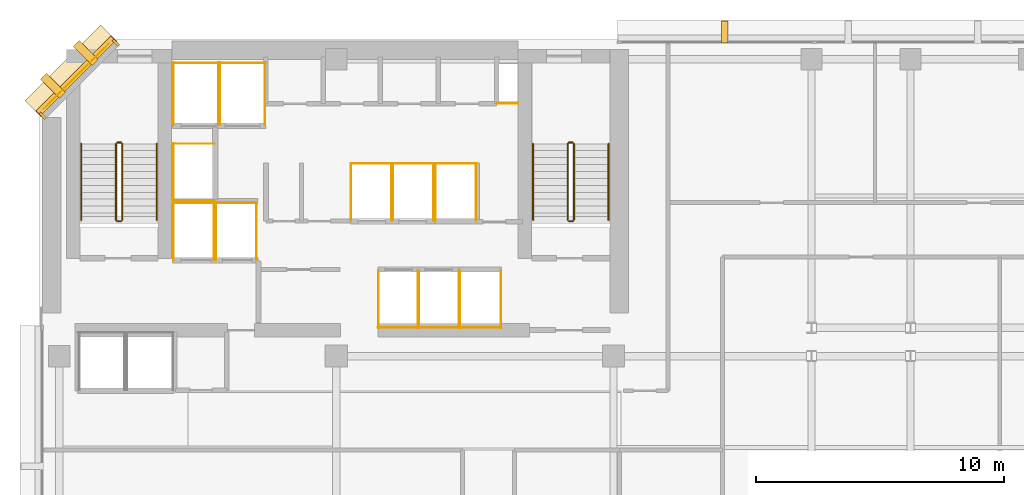
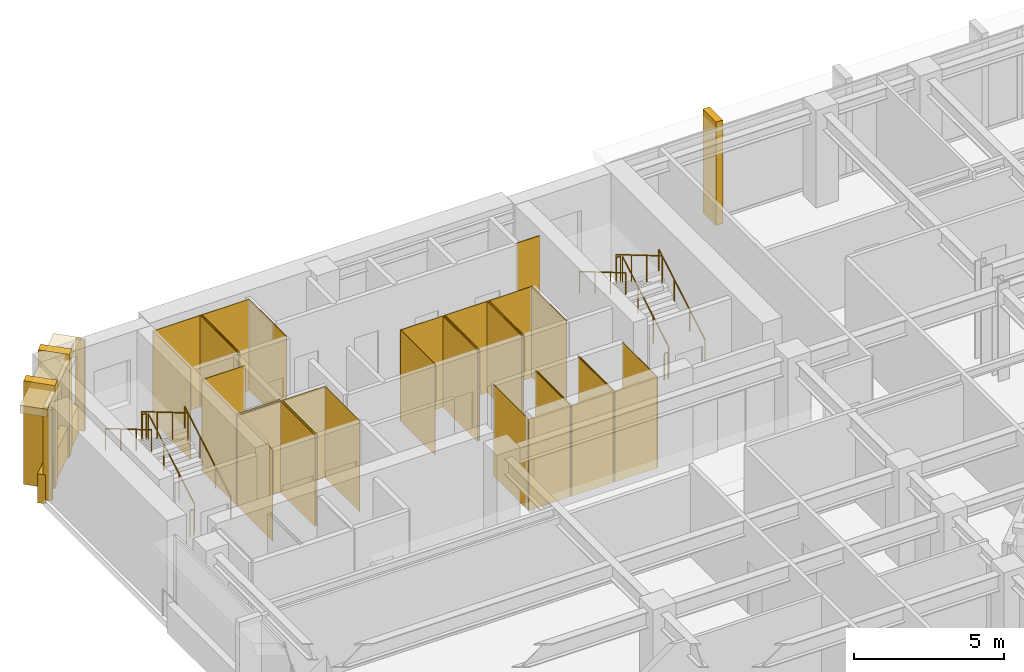
# One storey, part 10 of 11: 42 coverings, 12 railings.
"""IFC4 building model written with IfcOpenShell, lengths in metres."""

from ifc_helpers import new_model, si_unit, direction, frame, origin, origin_2d, place, context, subcontext, project, spatial, polyline, rectangle, circle, outline, extrude, material, layer, layer_set, type_object, element, save


model = new_model("IFC4")

# Units and contexts
model_context = context("Model", 3, precision=1e-05, world=origin(), true_north=direction((0.0, 1.0)))
body_context = subcontext(model_context, "Body", "Model", "MODEL_VIEW")
ifc_project = project(units=[si_unit("LENGTHUNIT", "METRE"), si_unit("AREAUNIT", "SQUARE_METRE"), si_unit("VOLUMEUNIT", "CUBIC_METRE"), si_unit("PLANEANGLEUNIT", "RADIAN"), si_unit("MASSUNIT", "GRAM", prefix="KILO")], contexts=[model_context])

# Site, building, storey
site_placement = place(None, origin())
site = spatial("IfcSite", under=ifc_project, at=site_placement, CompositionType="ELEMENT")
building_placement = place(site_placement, origin())
building = spatial("IfcBuilding", under=site, at=building_placement, Name="Kefirva Bronze Tower", CompositionType="ELEMENT")
storey_placement = place(building_placement, frame((0.0, 0.0, 179.52001953125)))
storey = spatial("IfcBuildingStorey", under=building, at=storey_placement, Name="L43", CompositionType="ELEMENT", Elevation=179.52001953125)

# Coverings
ifc_material_1 = material(Name="Bronze anodised aluminium", Category="aluminium")
ifc_layer_1 = layer(ifc_material_1, 0.02001953125, Name="Bronze anodised aluminium")
ifc_layer_set_1 = layer_set([ifc_layer_1], Name="Bronze anodised aluminium")
covering_type_1 = type_object("IfcCoveringType", Name="Anodised Bronze Spandrel Cladding 20mm", PredefinedType="CLADDING", material=ifc_layer_set_1)
covering_1_placement = place(storey_placement, frame((1.492919921875, 44.507080078125, 3.2900390625), z_axis=(0.0, 0.0, 1.0), x_axis=(-0.707106781187, -0.707106781187, 0.0)))
element("IfcCovering", 1, at=covering_1_placement, inside=storey, type_object=covering_type_1, Name="L43 Bronze Spandrel Cladding 5", PredefinedType="CLADDING", context=body_context, shape_type="SweptSolid", body=[
    extrude(rectangle(XDim=3.719482421875, YDim=0.02001953125, at=origin_2d()), origin(), (0.0, 0.0, 1.0), 0.39990234375),
])
for number, where, z_axis, x_axis, name in (
    (2, (3.08837890625, 45.862060546875, 0.0), (0.0, 0.0, 1.0), (-0.707106781187, -0.707106781187, 0.0), "L43 Facade Joint Closure Panel 5S"),
    (3, (0.137939453125, 42.91162109375, 0.0), (0.0, 0.0, 1.0), (-0.707106781187, -0.707106781187, 0.0), "L43 Facade Joint Closure Panel 5E"),
):
    element("IfcCovering", number, at=place(storey_placement, frame(where, z_axis=z_axis, x_axis=x_axis)), inside=storey, type_object=covering_type_1, Name=name, PredefinedType="CLADDING", context=body_context, shape_type="SweptSolid", body=[
        extrude(rectangle(XDim=0.10009765625, YDim=0.320068359375, at=origin_2d()), origin(), (0.0, 0.0, 1.0), 3.7099609375),
    ])
covering_2_placement = place(storey_placement, frame((1.4716796875, 44.5283203125, -0.16015625), z_axis=(0.0, 0.0, 1.0), x_axis=(-0.707106781187, -0.707106781187, 0.0)))
element("IfcCovering", 4, at=covering_2_placement, inside=storey, type_object=covering_type_1, Name="L43 Streamline Horizontal Spandrel Band 9", PredefinedType="CLADDING", context=body_context, shape_type="SweptSolid", body=[
    extrude(rectangle(XDim=4.28271484375, YDim=0.280029296875, at=origin_2d()), origin(), (0.0, 0.0, 1.0), 1.179931640625),
])
covering_3_placement = place(storey_placement, origin())
element("IfcCovering", 5, at=covering_3_placement, inside=storey, type_object=covering_type_1, Name="L43 Lift FF1 Hoistway Liner N", PredefinedType="CLADDING", context=body_context, shape_type="SweptSolid", body=[
    extrude(outline(polyline([(5.39990234375, 39.389892578125), (7.080078125, 39.389892578125), (7.080078125, 39.409912109375), (5.39990234375, 39.409912109375), (5.39990234375, 39.389892578125)])), origin(), (0.0, 0.0, 1.0), 3.7099609375),
])
covering_4_placement = place(storey_placement, origin())
element("IfcCovering", 6, at=covering_4_placement, inside=storey, type_object=covering_type_1, Name="L43 Lift FF1 Hoistway Liner W", PredefinedType="CLADDING", context=body_context, shape_type="SweptSolid", body=[
    extrude(outline(polyline([(5.409912109375, 37.080078125), (5.429931640625, 37.080078125), (5.429931640625, 39.419921875), (5.409912109375, 39.419921875), (5.409912109375, 37.080078125)])), origin(), (0.0, 0.0, 1.0), 3.7099609375),
])
covering_5_placement = place(storey_placement, origin())
element("IfcCovering", 7, at=covering_5_placement, inside=storey, type_object=covering_type_1, Name="L43 Lift FF1 Hoistway Liner E", PredefinedType="CLADDING", context=body_context, shape_type="SweptSolid", body=[
    extrude(outline(polyline([(7.050048828125, 37.080078125), (7.070068359375, 37.080078125), (7.070068359375, 39.419921875), (7.050048828125, 39.419921875), (7.050048828125, 37.080078125)])), origin(), (0.0, 0.0, 1.0), 3.7099609375),
])
covering_6_placement = place(storey_placement, origin())
element("IfcCovering", 8, at=covering_6_placement, inside=storey, type_object=covering_type_1, Name="L43 Lift FF2 Hoistway Liner N", PredefinedType="CLADDING", context=body_context, shape_type="SweptSolid", body=[
    extrude(outline(polyline([(7.1201171875, 39.389892578125), (8.800048828125, 39.389892578125), (8.800048828125, 39.409912109375), (7.1201171875, 39.409912109375), (7.1201171875, 39.389892578125)])), origin(), (0.0, 0.0, 1.0), 3.7099609375),
])
covering_7_placement = place(storey_placement, origin())
element("IfcCovering", 9, at=covering_7_placement, inside=storey, type_object=covering_type_1, Name="L43 Lift FF2 Hoistway Liner W", PredefinedType="CLADDING", context=body_context, shape_type="SweptSolid", body=[
    extrude(outline(polyline([(7.1298828125, 37.080078125), (7.14990234375, 37.080078125), (7.14990234375, 39.419921875), (7.1298828125, 39.419921875), (7.1298828125, 37.080078125)])), origin(), (0.0, 0.0, 1.0), 3.7099609375),
])
covering_8_placement = place(storey_placement, origin())
element("IfcCovering", 10, at=covering_8_placement, inside=storey, type_object=covering_type_1, Name="L43 Lift FF2 Hoistway Liner E", PredefinedType="CLADDING", context=body_context, shape_type="SweptSolid", body=[
    extrude(outline(polyline([(8.77001953125, 37.080078125), (8.7900390625, 37.080078125), (8.7900390625, 39.419921875), (8.77001953125, 39.419921875), (8.77001953125, 37.080078125)])), origin(), (0.0, 0.0, 1.0), 3.7099609375),
])
covering_9_placement = place(storey_placement, origin())
element("IfcCovering", 11, at=covering_9_placement, inside=storey, type_object=covering_type_1, Name="L43 Lift SV1 Hoistway Liner N", PredefinedType="CLADDING", context=body_context, shape_type="SweptSolid", body=[
    extrude(outline(polyline([(5.39990234375, 45.0400390625), (7.260009765625, 45.0400390625), (7.260009765625, 45.06005859375), (5.39990234375, 45.06005859375), (5.39990234375, 45.0400390625)])), origin(), (0.0, 0.0, 1.0), 3.7099609375),
])
covering_10_placement = place(storey_placement, origin())
element("IfcCovering", 12, at=covering_10_placement, inside=storey, type_object=covering_type_1, Name="L43 Lift SV1 Hoistway Liner W", PredefinedType="CLADDING", context=body_context, shape_type="SweptSolid", body=[
    extrude(outline(polyline([(5.409912109375, 42.530029296875), (5.429931640625, 42.530029296875), (5.429931640625, 45.070068359375), (5.409912109375, 45.070068359375), (5.409912109375, 42.530029296875)])), origin(), (0.0, 0.0, 1.0), 3.7099609375),
])
covering_11_placement = place(storey_placement, origin())
element("IfcCovering", 13, at=covering_11_placement, inside=storey, type_object=covering_type_1, Name="L43 Lift SV1 Hoistway Liner E", PredefinedType="CLADDING", context=body_context, shape_type="SweptSolid", body=[
    extrude(outline(polyline([(7.22998046875, 42.530029296875), (7.25, 42.530029296875), (7.25, 45.070068359375), (7.22998046875, 45.070068359375), (7.22998046875, 42.530029296875)])), origin(), (0.0, 0.0, 1.0), 3.7099609375),
])
covering_12_placement = place(storey_placement, origin())
element("IfcCovering", 14, at=covering_12_placement, inside=storey, type_object=covering_type_1, Name="L43 Lift SV2 Hoistway Liner N", PredefinedType="CLADDING", context=body_context, shape_type="SweptSolid", body=[
    extrude(outline(polyline([(7.280029296875, 45.0400390625), (9.139892578125, 45.0400390625), (9.139892578125, 45.06005859375), (7.280029296875, 45.06005859375), (7.280029296875, 45.0400390625)])), origin(), (0.0, 0.0, 1.0), 3.7099609375),
])
covering_13_placement = place(storey_placement, origin())
element("IfcCovering", 15, at=covering_13_placement, inside=storey, type_object=covering_type_1, Name="L43 Lift SV2 Hoistway Liner W", PredefinedType="CLADDING", context=body_context, shape_type="SweptSolid", body=[
    extrude(outline(polyline([(7.2900390625, 42.530029296875), (7.31005859375, 42.530029296875), (7.31005859375, 45.070068359375), (7.2900390625, 45.070068359375), (7.2900390625, 42.530029296875)])), origin(), (0.0, 0.0, 1.0), 3.7099609375),
])
covering_14_placement = place(storey_placement, origin())
element("IfcCovering", 16, at=covering_14_placement, inside=storey, type_object=covering_type_1, Name="L43 Lift SV2 Hoistway Liner E", PredefinedType="CLADDING", context=body_context, shape_type="SweptSolid", body=[
    extrude(outline(polyline([(9.110107421875, 42.530029296875), (9.1298828125, 42.530029296875), (9.1298828125, 45.070068359375), (9.110107421875, 45.070068359375), (9.110107421875, 42.530029296875)])), origin(), (0.0, 0.0, 1.0), 3.7099609375),
])
covering_15_placement = place(storey_placement, origin())
element("IfcCovering", 17, at=covering_15_placement, inside=storey, type_object=covering_type_1, Name="L43 Lift MP1 Hoistway Liner S", PredefinedType="CLADDING", context=body_context, shape_type="SweptSolid", body=[
    extrude(outline(polyline([(13.679931640625, 34.340087890625), (15.320068359375, 34.340087890625), (15.320068359375, 34.360107421875), (13.679931640625, 34.360107421875), (13.679931640625, 34.340087890625)])), origin(), (0.0, 0.0, 1.0), 3.7099609375),
])
covering_16_placement = place(storey_placement, origin())
element("IfcCovering", 18, at=covering_16_placement, inside=storey, type_object=covering_type_1, Name="L43 Lift MP1 Hoistway Liner W", PredefinedType="CLADDING", context=body_context, shape_type="SweptSolid", body=[
    extrude(outline(polyline([(13.68994140625, 34.330078125), (13.7099609375, 34.330078125), (13.7099609375, 36.669921875), (13.68994140625, 36.669921875), (13.68994140625, 34.330078125)])), origin(), (0.0, 0.0, 1.0), 3.7099609375),
])
covering_17_placement = place(storey_placement, origin())
element("IfcCovering", 19, at=covering_17_placement, inside=storey, type_object=covering_type_1, Name="L43 Lift MP1 Hoistway Liner E", PredefinedType="CLADDING", context=body_context, shape_type="SweptSolid", body=[
    extrude(outline(polyline([(15.2900390625, 34.330078125), (15.31005859375, 34.330078125), (15.31005859375, 36.669921875), (15.2900390625, 36.669921875), (15.2900390625, 34.330078125)])), origin(), (0.0, 0.0, 1.0), 3.7099609375),
])
covering_18_placement = place(storey_placement, origin())
element("IfcCovering", 20, at=covering_18_placement, inside=storey, type_object=covering_type_1, Name="L43 Lift MP2 Hoistway Liner S", PredefinedType="CLADDING", context=body_context, shape_type="SweptSolid", body=[
    extrude(outline(polyline([(15.330078125, 34.340087890625), (16.969970703125, 34.340087890625), (16.969970703125, 34.360107421875), (15.330078125, 34.360107421875), (15.330078125, 34.340087890625)])), origin(), (0.0, 0.0, 1.0), 3.7099609375),
])
covering_19_placement = place(storey_placement, origin())
element("IfcCovering", 21, at=covering_19_placement, inside=storey, type_object=covering_type_1, Name="L43 Lift MP2 Hoistway Liner W", PredefinedType="CLADDING", context=body_context, shape_type="SweptSolid", body=[
    extrude(outline(polyline([(15.340087890625, 34.330078125), (15.360107421875, 34.330078125), (15.360107421875, 36.669921875), (15.340087890625, 36.669921875), (15.340087890625, 34.330078125)])), origin(), (0.0, 0.0, 1.0), 3.7099609375),
])
covering_20_placement = place(storey_placement, origin())
element("IfcCovering", 22, at=covering_20_placement, inside=storey, type_object=covering_type_1, Name="L43 Lift MP2 Hoistway Liner E", PredefinedType="CLADDING", context=body_context, shape_type="SweptSolid", body=[
    extrude(outline(polyline([(16.93994140625, 34.330078125), (16.9599609375, 34.330078125), (16.9599609375, 36.669921875), (16.93994140625, 36.669921875), (16.93994140625, 34.330078125)])), origin(), (0.0, 0.0, 1.0), 3.7099609375),
])
covering_21_placement = place(storey_placement, origin())
element("IfcCovering", 23, at=covering_21_placement, inside=storey, type_object=covering_type_1, Name="L43 Lift MP3 Hoistway Liner N", PredefinedType="CLADDING", context=body_context, shape_type="SweptSolid", body=[
    extrude(outline(polyline([(12.580078125, 40.969970703125), (14.25, 40.969970703125), (14.25, 40.989990234375), (12.580078125, 40.989990234375), (12.580078125, 40.969970703125)])), origin(), (0.0, 0.0, 1.0), 3.7099609375),
])
covering_22_placement = place(storey_placement, origin())
element("IfcCovering", 24, at=covering_22_placement, inside=storey, type_object=covering_type_1, Name="L43 Lift MP3 Hoistway Liner W", PredefinedType="CLADDING", context=body_context, shape_type="SweptSolid", body=[
    extrude(outline(polyline([(12.590087890625, 38.659912109375), (12.610107421875, 38.659912109375), (12.610107421875, 41.0), (12.590087890625, 41.0), (12.590087890625, 38.659912109375)])), origin(), (0.0, 0.0, 1.0), 3.7099609375),
])
covering_23_placement = place(storey_placement, origin())
element("IfcCovering", 25, at=covering_23_placement, inside=storey, type_object=covering_type_1, Name="L43 Lift MP3 Hoistway Liner E", PredefinedType="CLADDING", context=body_context, shape_type="SweptSolid", body=[
    extrude(outline(polyline([(14.219970703125, 38.659912109375), (14.239990234375, 38.659912109375), (14.239990234375, 41.0), (14.219970703125, 41.0), (14.219970703125, 38.659912109375)])), origin(), (0.0, 0.0, 1.0), 3.7099609375),
])
covering_24_placement = place(storey_placement, origin())
element("IfcCovering", 26, at=covering_24_placement, inside=storey, type_object=covering_type_1, Name="L43 Lift MP4 Hoistway Liner N", PredefinedType="CLADDING", context=body_context, shape_type="SweptSolid", body=[
    extrude(outline(polyline([(14.280029296875, 40.969970703125), (15.949951171875, 40.969970703125), (15.949951171875, 40.989990234375), (14.280029296875, 40.989990234375), (14.280029296875, 40.969970703125)])), origin(), (0.0, 0.0, 1.0), 3.7099609375),
])
covering_25_placement = place(storey_placement, origin())
element("IfcCovering", 27, at=covering_25_placement, inside=storey, type_object=covering_type_1, Name="L43 Lift MP4 Hoistway Liner W", PredefinedType="CLADDING", context=body_context, shape_type="SweptSolid", body=[
    extrude(outline(polyline([(14.2900390625, 38.659912109375), (14.31005859375, 38.659912109375), (14.31005859375, 41.0), (14.2900390625, 41.0), (14.2900390625, 38.659912109375)])), origin(), (0.0, 0.0, 1.0), 3.7099609375),
])
covering_26_placement = place(storey_placement, origin())
element("IfcCovering", 28, at=covering_26_placement, inside=storey, type_object=covering_type_1, Name="L43 Lift MP4 Hoistway Liner E", PredefinedType="CLADDING", context=body_context, shape_type="SweptSolid", body=[
    extrude(outline(polyline([(15.919921875, 38.659912109375), (15.93994140625, 38.659912109375), (15.93994140625, 41.0), (15.919921875, 41.0), (15.919921875, 38.659912109375)])), origin(), (0.0, 0.0, 1.0), 3.7099609375),
])
covering_27_placement = place(storey_placement, origin())
element("IfcCovering", 29, at=covering_27_placement, inside=storey, type_object=covering_type_1, Name="L43 Lift HP1 Hoistway Liner S", PredefinedType="CLADDING", context=body_context, shape_type="SweptSolid", body=[
    extrude(outline(polyline([(16.97998046875, 34.340087890625), (18.669921875, 34.340087890625), (18.669921875, 34.360107421875), (16.97998046875, 34.360107421875), (16.97998046875, 34.340087890625)])), origin(), (0.0, 0.0, 1.0), 3.7099609375),
])
covering_28_placement = place(storey_placement, origin())
element("IfcCovering", 30, at=covering_28_placement, inside=storey, type_object=covering_type_1, Name="L43 Lift HP1 Hoistway Liner W", PredefinedType="CLADDING", context=body_context, shape_type="SweptSolid", body=[
    extrude(outline(polyline([(16.989990234375, 34.330078125), (17.010009765625, 34.330078125), (17.010009765625, 36.669921875), (16.989990234375, 36.669921875), (16.989990234375, 34.330078125)])), origin(), (0.0, 0.0, 1.0), 3.7099609375),
])
covering_29_placement = place(storey_placement, origin())
element("IfcCovering", 31, at=covering_29_placement, inside=storey, type_object=covering_type_1, Name="L43 Lift HP1 Hoistway Liner E", PredefinedType="CLADDING", context=body_context, shape_type="SweptSolid", body=[
    extrude(outline(polyline([(18.639892578125, 34.330078125), (18.659912109375, 34.330078125), (18.659912109375, 36.669921875), (18.639892578125, 36.669921875), (18.639892578125, 34.330078125)])), origin(), (0.0, 0.0, 1.0), 3.7099609375),
])
covering_30_placement = place(storey_placement, origin())
element("IfcCovering", 32, at=covering_30_placement, inside=storey, type_object=covering_type_1, Name="L43 Lift HP2 Hoistway Liner N", PredefinedType="CLADDING", context=body_context, shape_type="SweptSolid", body=[
    extrude(outline(polyline([(15.97998046875, 40.969970703125), (17.669921875, 40.969970703125), (17.669921875, 40.989990234375), (15.97998046875, 40.989990234375), (15.97998046875, 40.969970703125)])), origin(), (0.0, 0.0, 1.0), 3.7099609375),
])
covering_31_placement = place(storey_placement, origin())
element("IfcCovering", 33, at=covering_31_placement, inside=storey, type_object=covering_type_1, Name="L43 Lift HP2 Hoistway Liner W", PredefinedType="CLADDING", context=body_context, shape_type="SweptSolid", body=[
    extrude(outline(polyline([(15.989990234375, 38.659912109375), (16.010009765625, 38.659912109375), (16.010009765625, 41.0), (15.989990234375, 41.0), (15.989990234375, 38.659912109375)])), origin(), (0.0, 0.0, 1.0), 3.7099609375),
])
covering_32_placement = place(storey_placement, origin())
element("IfcCovering", 34, at=covering_32_placement, inside=storey, type_object=covering_type_1, Name="L43 Lift HP2 Hoistway Liner E", PredefinedType="CLADDING", context=body_context, shape_type="SweptSolid", body=[
    extrude(outline(polyline([(17.639892578125, 38.659912109375), (17.659912109375, 38.659912109375), (17.659912109375, 41.0), (17.639892578125, 41.0), (17.639892578125, 38.659912109375)])), origin(), (0.0, 0.0, 1.0), 3.7099609375),
])
covering_33_placement = place(storey_placement, origin())
element("IfcCovering", 35, at=covering_33_placement, inside=storey, type_object=covering_type_1, Name="L43 Lift HP3 Hoistway Liner N", PredefinedType="CLADDING", context=body_context, shape_type="SweptSolid", body=[
    extrude(outline(polyline([(5.39990234375, 41.77001953125), (7.080078125, 41.77001953125), (7.080078125, 41.7900390625), (5.39990234375, 41.7900390625), (5.39990234375, 41.77001953125)])), origin(), (0.0, 0.0, 1.0), 3.7099609375),
])
covering_34_placement = place(storey_placement, origin())
element("IfcCovering", 36, at=covering_34_placement, inside=storey, type_object=covering_type_1, Name="L43 Lift HP3 Hoistway Liner S", PredefinedType="CLADDING", context=body_context, shape_type="SweptSolid", body=[
    extrude(outline(polyline([(5.39990234375, 39.469970703125), (7.080078125, 39.469970703125), (7.080078125, 39.489990234375), (5.39990234375, 39.489990234375), (5.39990234375, 39.469970703125)])), origin(), (0.0, 0.0, 1.0), 3.7099609375),
])
covering_35_placement = place(storey_placement, origin())
element("IfcCovering", 37, at=covering_35_placement, inside=storey, type_object=covering_type_1, Name="L43 Lift HP3 Hoistway Liner W", PredefinedType="CLADDING", context=body_context, shape_type="SweptSolid", body=[
    extrude(outline(polyline([(5.409912109375, 39.4599609375), (5.429931640625, 39.4599609375), (5.429931640625, 41.800048828125), (5.409912109375, 41.800048828125), (5.409912109375, 39.4599609375)])), origin(), (0.0, 0.0, 1.0), 3.7099609375),
])
covering_36_placement = place(storey_placement, origin())
element("IfcCovering", 38, at=covering_36_placement, inside=storey, type_object=covering_type_1, Name="L43 Core MEP Riser Shaft Liner South", PredefinedType="CLADDING", context=body_context, shape_type="SweptSolid", body=[
    extrude(outline(polyline([(18.47998046875, 43.39990234375), (19.360107421875, 43.39990234375), (19.360107421875, 43.429931640625), (18.47998046875, 43.429931640625), (18.47998046875, 43.39990234375)])), origin(), (0.0, 0.0, 1.0), 3.7099609375),
])

# Railings
ifc_material_2 = material(Name="Stainless steel 316", Category="steel")
railing_type_1 = type_object("IfcRailingType", Name="Interior Stair Guardrail 1100mm", PredefinedType="GUARDRAIL", material=ifc_material_2)
railing_1_placement = place(storey_placement, frame((3.35009765625, 38.699951171875, 0.1650390625)))
element("IfcRailing", 39, at=railing_1_placement, inside=storey, type_object=railing_type_1, Name="L43 ST-1 stair guard 1", PredefinedType="GUARDRAIL", context=body_context, shape_type="SweptSolid", body=[
    extrude(circle(Radius=0.02392578125, at=origin_2d()), frame((0.0, 0.0, 1.076171875), z_axis=(0.0, 0.861551262678, 0.507670583921), x_axis=(-1.0, 0.0, 0.0)), (0.0, 0.0, 1.0), 3.574951171875),
    extrude(circle(Radius=0.02099609375, at=origin_2d()), origin(), (0.0, 0.0, 1.0), 1.052001953125),
    extrude(circle(Radius=0.02099609375, at=origin_2d()), frame((0.0, 1.026611328125, 0.60498046875)), (0.0, 0.0, 1.0), 1.052001953125),
    extrude(circle(Radius=0.02099609375, at=origin_2d()), frame((0.0, 2.053466796875, 1.2099609375)), (0.0, 0.0, 1.0), 1.052001953125),
    extrude(circle(Radius=0.02099609375, at=origin_2d()), frame((0.0, 3.080078125, 1.81494140625)), (0.0, 0.0, 1.0), 1.052001953125),
])
railing_2_placement = place(storey_placement, frame((3.300048828125, 41.830078125, 1.97998046875)))
element("IfcRailing", 40, at=railing_2_placement, inside=storey, type_object=railing_type_1, Name="L43 ST-1 stair guard 2", PredefinedType="GUARDRAIL", context=body_context, shape_type="SweptSolid", body=[
    extrude(circle(Radius=0.02392578125, at=origin_2d()), frame((0.0, 0.0, 1.076171875), z_axis=(-1.0, 0.0, 0.0), x_axis=(0.0, -1.0, 0.0)), (0.0, 0.0, 1.0), 0.150146484375),
    extrude(circle(Radius=0.02099609375, at=origin_2d()), origin(), (0.0, 0.0, 1.0), 1.052001953125),
    extrude(circle(Radius=0.02099609375, at=origin_2d()), frame((-0.150146484375, 0.0, 0.0)), (0.0, 0.0, 1.0), 1.052001953125),
])
railing_3_placement = place(storey_placement, frame((3.10009765625, 41.780029296875, 2.14501953125)))
element("IfcRailing", 41, at=railing_3_placement, inside=storey, type_object=railing_type_1, Name="L43 ST-1 stair guard 3", PredefinedType="GUARDRAIL", context=body_context, shape_type="SweptSolid", body=[
    extrude(circle(Radius=0.02392578125, at=origin_2d()), frame((0.0, 0.0, 1.076171875), z_axis=(0.0, -0.861551262678, 0.507670583921), x_axis=(1.0, 0.0, 0.0)), (0.0, 0.0, 1.0), 3.574951171875),
    extrude(circle(Radius=0.02099609375, at=origin_2d()), origin(), (0.0, 0.0, 1.0), 1.052001953125),
    extrude(circle(Radius=0.02099609375, at=origin_2d()), frame((0.0, -1.026611328125, 0.60498046875)), (0.0, 0.0, 1.0), 1.052001953125),
    extrude(circle(Radius=0.02099609375, at=origin_2d()), frame((0.0, -2.053466796875, 1.2099609375)), (0.0, 0.0, 1.0), 1.052001953125),
    extrude(circle(Radius=0.02099609375, at=origin_2d()), frame((0.0, -3.080078125, 1.81494140625)), (0.0, 0.0, 1.0), 1.052001953125),
])
railing_4_placement = place(storey_placement, frame((3.300048828125, 38.64990234375, 0.0)))
element("IfcRailing", 42, at=railing_4_placement, inside=storey, type_object=railing_type_1, Name="L43 ST-1 stair guard 4", PredefinedType="GUARDRAIL", context=body_context, shape_type="SweptSolid", body=[
    extrude(circle(Radius=0.02392578125, at=origin_2d()), frame((0.0, 0.0, 1.076171875), z_axis=(-1.0, 0.0, 0.0), x_axis=(0.0, -1.0, 0.0)), (0.0, 0.0, 1.0), 0.150146484375),
    extrude(circle(Radius=0.02099609375, at=origin_2d()), origin(), (0.0, 0.0, 1.0), 1.052001953125),
    extrude(circle(Radius=0.02099609375, at=origin_2d()), frame((-0.150146484375, 0.0, 0.0)), (0.0, 0.0, 1.0), 1.052001953125),
])
railing_5_placement = place(storey_placement, frame((21.60009765625, 38.699951171875, 0.1650390625)))
element("IfcRailing", 43, at=railing_5_placement, inside=storey, type_object=railing_type_1, Name="L43 ST-2 stair guard 1", PredefinedType="GUARDRAIL", context=body_context, shape_type="SweptSolid", body=[
    extrude(circle(Radius=0.02392578125, at=origin_2d()), frame((0.0, 0.0, 1.076171875), z_axis=(0.0, 0.861551262678, 0.507670583921), x_axis=(-1.0, 0.0, 0.0)), (0.0, 0.0, 1.0), 3.574951171875),
    extrude(circle(Radius=0.02099609375, at=origin_2d()), origin(), (0.0, 0.0, 1.0), 1.052001953125),
    extrude(circle(Radius=0.02099609375, at=origin_2d()), frame((0.0, 1.026611328125, 0.60498046875)), (0.0, 0.0, 1.0), 1.052001953125),
    extrude(circle(Radius=0.02099609375, at=origin_2d()), frame((0.0, 2.053466796875, 1.2099609375)), (0.0, 0.0, 1.0), 1.052001953125),
    extrude(circle(Radius=0.02099609375, at=origin_2d()), frame((0.0, 3.080078125, 1.81494140625)), (0.0, 0.0, 1.0), 1.052001953125),
])
railing_6_placement = place(storey_placement, frame((21.550048828125, 41.830078125, 1.97998046875)))
element("IfcRailing", 44, at=railing_6_placement, inside=storey, type_object=railing_type_1, Name="L43 ST-2 stair guard 2", PredefinedType="GUARDRAIL", context=body_context, shape_type="SweptSolid", body=[
    extrude(circle(Radius=0.02392578125, at=origin_2d()), frame((0.0, 0.0, 1.076171875), z_axis=(-1.0, 0.0, 0.0), x_axis=(0.0, -1.0, 0.0)), (0.0, 0.0, 1.0), 0.150146484375),
    extrude(circle(Radius=0.02099609375, at=origin_2d()), origin(), (0.0, 0.0, 1.0), 1.052001953125),
    extrude(circle(Radius=0.02099609375, at=origin_2d()), frame((-0.150146484375, 0.0, 0.0)), (0.0, 0.0, 1.0), 1.052001953125),
])
railing_7_placement = place(storey_placement, frame((21.35009765625, 41.780029296875, 2.14501953125)))
element("IfcRailing", 45, at=railing_7_placement, inside=storey, type_object=railing_type_1, Name="L43 ST-2 stair guard 3", PredefinedType="GUARDRAIL", context=body_context, shape_type="SweptSolid", body=[
    extrude(circle(Radius=0.02392578125, at=origin_2d()), frame((0.0, 0.0, 1.076171875), z_axis=(0.0, -0.861551262678, 0.507670583921), x_axis=(1.0, 0.0, 0.0)), (0.0, 0.0, 1.0), 3.574951171875),
    extrude(circle(Radius=0.02099609375, at=origin_2d()), origin(), (0.0, 0.0, 1.0), 1.052001953125),
    extrude(circle(Radius=0.02099609375, at=origin_2d()), frame((0.0, -1.026611328125, 0.60498046875)), (0.0, 0.0, 1.0), 1.052001953125),
    extrude(circle(Radius=0.02099609375, at=origin_2d()), frame((0.0, -2.053466796875, 1.2099609375)), (0.0, 0.0, 1.0), 1.052001953125),
    extrude(circle(Radius=0.02099609375, at=origin_2d()), frame((0.0, -3.080078125, 1.81494140625)), (0.0, 0.0, 1.0), 1.052001953125),
])
railing_8_placement = place(storey_placement, frame((21.550048828125, 38.64990234375, 0.0)))
element("IfcRailing", 46, at=railing_8_placement, inside=storey, type_object=railing_type_1, Name="L43 ST-2 stair guard 4", PredefinedType="GUARDRAIL", context=body_context, shape_type="SweptSolid", body=[
    extrude(circle(Radius=0.02392578125, at=origin_2d()), frame((0.0, 0.0, 1.076171875), z_axis=(-1.0, 0.0, 0.0), x_axis=(0.0, -1.0, 0.0)), (0.0, 0.0, 1.0), 0.150146484375),
    extrude(circle(Radius=0.02099609375, at=origin_2d()), origin(), (0.0, 0.0, 1.0), 1.052001953125),
    extrude(circle(Radius=0.02099609375, at=origin_2d()), frame((-0.150146484375, 0.0, 0.0)), (0.0, 0.0, 1.0), 1.052001953125),
])
railing_type_2 = type_object("IfcRailingType", Name="Stair Pitch Handrail 900mm", PredefinedType="HANDRAIL", material=ifc_material_2)
railing_9_placement = place(storey_placement, frame((4.75, 38.699951171875, 0.1650390625)))
element("IfcRailing", 47, at=railing_9_placement, inside=storey, type_object=railing_type_2, Name="L43 ST-1 stair handrail 1", PredefinedType="HANDRAIL", context=body_context, shape_type="SweptSolid", body=[
    extrude(circle(Radius=0.02392578125, at=origin_2d()), frame((0.0, 0.0, 0.8759765625), z_axis=(0.0, 0.861551262678, 0.507670583921), x_axis=(-1.0, 0.0, 0.0)), (0.0, 0.0, 1.0), 3.574951171875),
    extrude(circle(Radius=0.02099609375, at=origin_2d()), origin(), (0.0, 0.0, 1.0), 0.851806640625),
    extrude(circle(Radius=0.02099609375, at=origin_2d()), frame((0.0, 1.026611328125, 0.60498046875)), (0.0, 0.0, 1.0), 0.851806640625),
    extrude(circle(Radius=0.02099609375, at=origin_2d()), frame((0.0, 2.053466796875, 1.2099609375)), (0.0, 0.0, 1.0), 0.851806640625),
    extrude(circle(Radius=0.02099609375, at=origin_2d()), frame((0.0, 3.080078125, 1.81494140625)), (0.0, 0.0, 1.0), 0.851806640625),
])
railing_10_placement = place(storey_placement, frame((1.699951171875, 41.780029296875, 2.14501953125)))
element("IfcRailing", 48, at=railing_10_placement, inside=storey, type_object=railing_type_2, Name="L43 ST-1 stair handrail 2", PredefinedType="HANDRAIL", context=body_context, shape_type="SweptSolid", body=[
    extrude(circle(Radius=0.02392578125, at=origin_2d()), frame((0.0, 0.0, 0.8759765625), z_axis=(0.0, -0.861551262678, 0.507670583921), x_axis=(1.0, 0.0, 0.0)), (0.0, 0.0, 1.0), 3.574951171875),
    extrude(circle(Radius=0.02099609375, at=origin_2d()), origin(), (0.0, 0.0, 1.0), 0.851806640625),
    extrude(circle(Radius=0.02099609375, at=origin_2d()), frame((0.0, -1.026611328125, 0.60498046875)), (0.0, 0.0, 1.0), 0.851806640625),
    extrude(circle(Radius=0.02099609375, at=origin_2d()), frame((0.0, -2.053466796875, 1.2099609375)), (0.0, 0.0, 1.0), 0.851806640625),
    extrude(circle(Radius=0.02099609375, at=origin_2d()), frame((0.0, -3.080078125, 1.81494140625)), (0.0, 0.0, 1.0), 0.851806640625),
])
railing_11_placement = place(storey_placement, frame((23.0, 38.699951171875, 0.1650390625)))
element("IfcRailing", 49, at=railing_11_placement, inside=storey, type_object=railing_type_2, Name="L43 ST-2 stair handrail 1", PredefinedType="HANDRAIL", context=body_context, shape_type="SweptSolid", body=[
    extrude(circle(Radius=0.02392578125, at=origin_2d()), frame((0.0, 0.0, 0.8759765625), z_axis=(0.0, 0.861551262678, 0.507670583921), x_axis=(-1.0, 0.0, 0.0)), (0.0, 0.0, 1.0), 3.574951171875),
    extrude(circle(Radius=0.02099609375, at=origin_2d()), origin(), (0.0, 0.0, 1.0), 0.851806640625),
    extrude(circle(Radius=0.02099609375, at=origin_2d()), frame((0.0, 1.026611328125, 0.60498046875)), (0.0, 0.0, 1.0), 0.851806640625),
    extrude(circle(Radius=0.02099609375, at=origin_2d()), frame((0.0, 2.053466796875, 1.2099609375)), (0.0, 0.0, 1.0), 0.851806640625),
    extrude(circle(Radius=0.02099609375, at=origin_2d()), frame((0.0, 3.080078125, 1.81494140625)), (0.0, 0.0, 1.0), 0.851806640625),
])
railing_12_placement = place(storey_placement, frame((19.949951171875, 41.780029296875, 2.14501953125)))
element("IfcRailing", 50, at=railing_12_placement, inside=storey, type_object=railing_type_2, Name="L43 ST-2 stair handrail 2", PredefinedType="HANDRAIL", context=body_context, shape_type="SweptSolid", body=[
    extrude(circle(Radius=0.02392578125, at=origin_2d()), frame((0.0, 0.0, 0.8759765625), z_axis=(0.0, -0.861551262678, 0.507670583921), x_axis=(1.0, 0.0, 0.0)), (0.0, 0.0, 1.0), 3.574951171875),
    extrude(circle(Radius=0.02099609375, at=origin_2d()), origin(), (0.0, 0.0, 1.0), 0.851806640625),
    extrude(circle(Radius=0.02099609375, at=origin_2d()), frame((0.0, -1.026611328125, 0.60498046875)), (0.0, 0.0, 1.0), 0.851806640625),
    extrude(circle(Radius=0.02099609375, at=origin_2d()), frame((0.0, -2.053466796875, 1.2099609375)), (0.0, 0.0, 1.0), 0.851806640625),
    extrude(circle(Radius=0.02099609375, at=origin_2d()), frame((0.0, -3.080078125, 1.81494140625)), (0.0, 0.0, 1.0), 0.851806640625),
])

# Coverings
ifc_layer_2 = layer(ifc_material_1, 0.179931640625, Name="Bronze anodised aluminium")
ifc_layer_set_2 = layer_set([ifc_layer_2], Name="Bronze anodised aluminium")
covering_type_2 = type_object("IfcCoveringType", Name="Streamline Bronze Sunshade Eyebrow Cladding 180mm", PredefinedType="CLADDING", material=ifc_layer_set_2)
covering_37_placement = place(storey_placement, frame((1.28076171875, 44.71923828125, 3.39013671875), z_axis=(0.0, 0.0, 1.0), x_axis=(-0.707106781187, -0.707106781187, 0.0)))
element("IfcCovering", 51, at=covering_37_placement, inside=storey, type_object=covering_type_2, Name="L43 Streamline Bronze Sunshade Eyebrow 9", PredefinedType="CLADDING", context=body_context, shape_type="SweptSolid", body=[
    extrude(rectangle(XDim=4.322509765625, YDim=0.93994140625, at=origin_2d()), origin(), (0.0, 0.0, 1.0), 0.320068359375),
])
ifc_layer_3 = layer(ifc_material_1, 0.260009765625, Name="Bronze anodised aluminium")
ifc_layer_set_3 = layer_set([ifc_layer_3], Name="Bronze anodised aluminium")
covering_type_3 = type_object("IfcCoveringType", Name="Unbroken Bronze Buttress Fin Cladding 260mm", PredefinedType="CLADDING", material=ifc_layer_set_3)
covering_38_placement = place(storey_placement, frame((27.68798828125, 46.300048828125, -0.25), z_axis=(0.0, 0.0, 1.0), x_axis=(-1.0, 0.0, 0.0)))
element("IfcCovering", 52, at=covering_38_placement, inside=storey, type_object=covering_type_3, Name="L43 Unbroken Vertical Bronze Rib Fin 20", PredefinedType="CLADDING", context=body_context, shape_type="SweptSolid", body=[
    extrude(rectangle(XDim=0.260009765625, YDim=0.8798828125, at=origin_2d()), origin(), (0.0, 0.0, 1.0), 4.2099609375),
])
for number, where, z_axis, x_axis, name in (
    (53, (1.877197265625, 45.44287109375, -0.25), (0.0, 0.0, 1.0), (-0.707106781187, -0.707106781187, 0.0), "L43 Chamfered Corner Buttress Fin Cladding 21"),
    (54, (0.55712890625, 44.122802734375, -0.25), (0.0, 0.0, 1.0), (-0.707106781187, -0.707106781187, 0.0), "L43 Chamfered Corner Buttress Fin Cladding 22"),
):
    element("IfcCovering", number, at=place(storey_placement, frame(where, z_axis=z_axis, x_axis=x_axis)), inside=storey, type_object=covering_type_3, Name=name, PredefinedType="CLADDING", context=body_context, shape_type="SweptSolid", body=[
        extrude(rectangle(XDim=0.340087890625, YDim=1.080078125, at=origin_2d()), origin(), (0.0, 0.0, 1.0), 4.2099609375),
    ])

save(model, "model.ifc")
